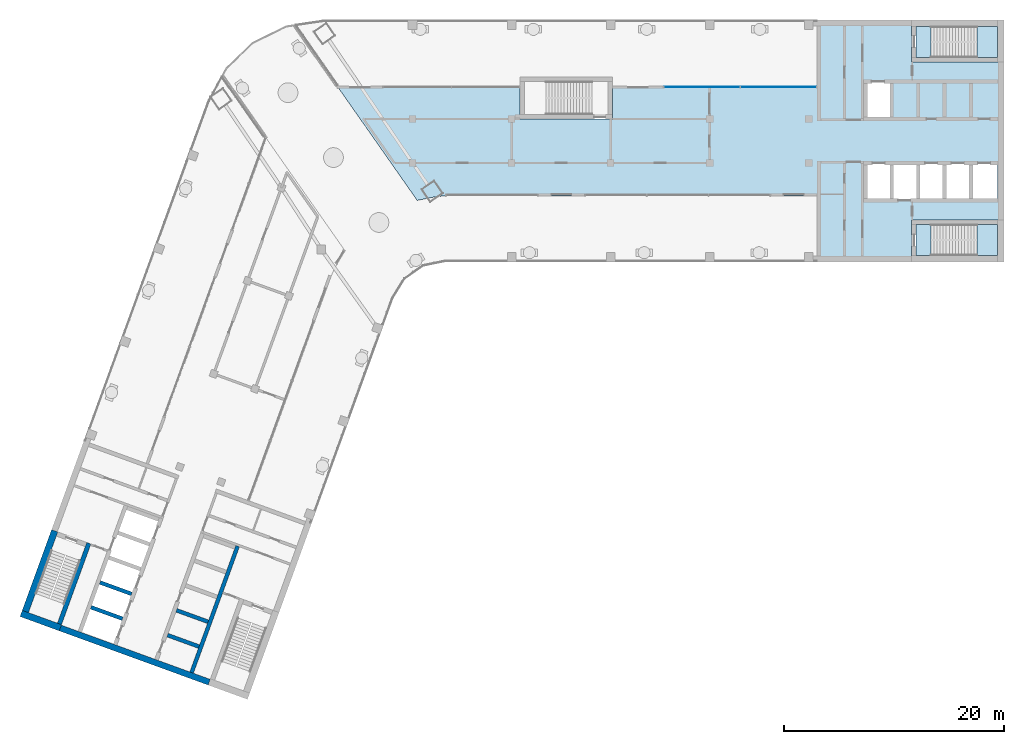
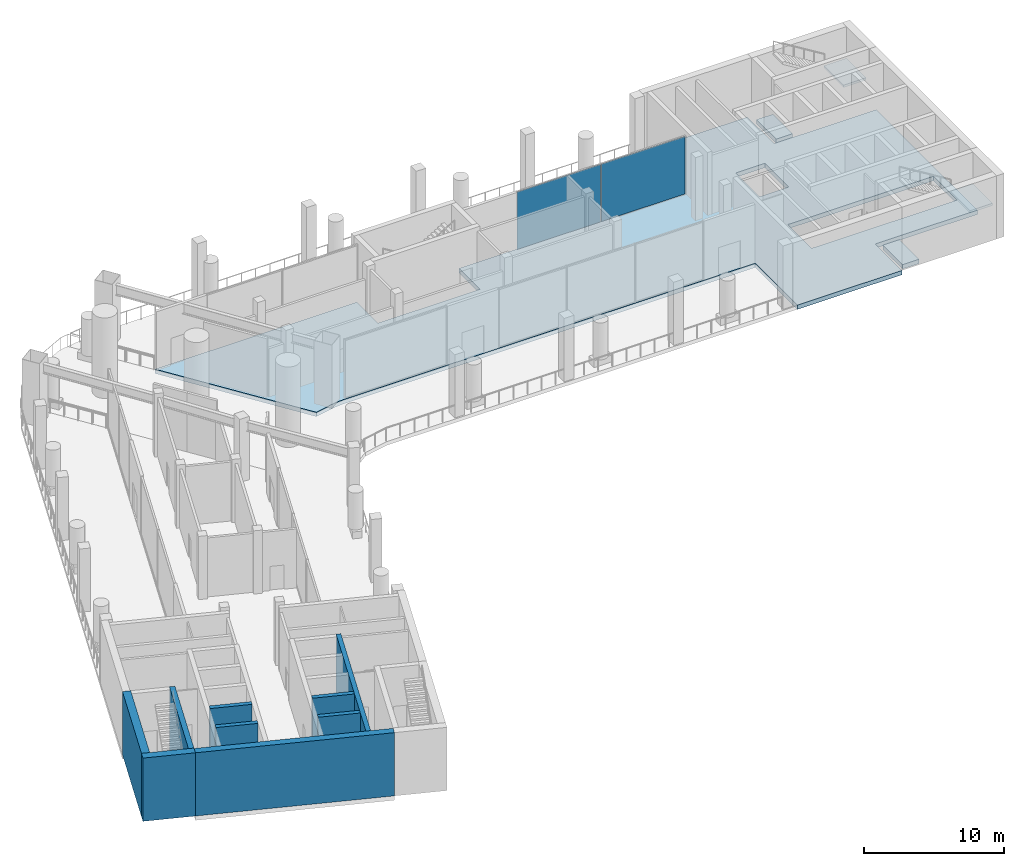
# One storey, part 7 of 17: 9 walls, 5 slabs, 2 plates, 3 elements without a shape of their own.
"""IFC4 building model written with IfcOpenShell, lengths in metres."""

from ifc_helpers import new_model, si_unit, direction, frame, frame_2d, origin, origin_2d, place, context, subcontext, project, spatial, polyline, rectangle, outline, extrude, material, layer, layer_set, type_object, element, aggregate, save


model = new_model("IFC4")

# Units and contexts
model_context = context("Model", 3, precision=1e-05, world=origin(), true_north=direction((0.0, 1.0)))
body_context = subcontext(model_context, "Body", "Model", "MODEL_VIEW")
ifc_project = project(units=[si_unit("LENGTHUNIT", "METRE"), si_unit("AREAUNIT", "SQUARE_METRE"), si_unit("VOLUMEUNIT", "CUBIC_METRE"), si_unit("PLANEANGLEUNIT", "RADIAN"), si_unit("MASSUNIT", "GRAM", prefix="KILO")], contexts=[model_context])

# Site, building, storey
site_placement = place(None, origin())
site = spatial("IfcSite", under=ifc_project, at=site_placement, CompositionType="ELEMENT")
building_placement = place(site_placement, origin())
building = spatial("IfcBuilding", under=site, at=building_placement, Name="Skarvind Civic Tower", CompositionType="ELEMENT")
storey_placement = place(building_placement, frame((0.0, 0.0, 182.5)))
storey = spatial("IfcBuildingStorey", under=building, at=storey_placement, Name="L43", CompositionType="ELEMENT", Elevation=182.5)

# Curtain wall, plates
ifc_material_1 = material(Name="Aluminium alloy 6063 and laminated glass", Category="aluminium")
curtain_wall_type = type_object("IfcCurtainWallType", Name="CW3 SEPARATOR INNER GLAZING", PredefinedType="NOTDEFINED", material=ifc_material_1)
curtain_wall_placement = place(storey_placement, origin())
curtain_wall = element("IfcCurtainWall", 1, at=curtain_wall_placement, inside=storey, type_object=curtain_wall_type, Name="SEPARATOR INNER GLAZING", PredefinedType="NOTDEFINED")
ifc_material_2 = material(Name="Laminated low-iron glass", Category="glass")
ifc_layer_1 = layer(ifc_material_2, 0.031982421875)
ifc_layer_set_1 = layer_set([ifc_layer_1], Name="CW3 GLASS PANEL 32")
plate_type = type_object("IfcPlateType", Name="CW3 GLASS PANEL 32", PredefinedType="CURTAIN_PANEL", material=ifc_layer_set_1)
plate_1_placement = place(storey_placement, frame((80.552490234375, 132.89990234375, 0.06005859375), z_axis=(0.0, 0.0, 1.0), x_axis=(1.0, 0.0, 0.0)))
plate_1 = element("IfcPlate", 2, at=plate_1_placement, type_object=plate_type, Name="CW3 panel 1.1", PredefinedType="CURTAIN_PANEL", context=body_context, shape_type="SweptSolid", body=[
    extrude(rectangle(XDim=6.885009765625, YDim=0.031982421875, at=origin_2d()), origin(), (0.0, 0.0, 1.0), 5.0048828125),
])
plate_2_placement = place(storey_placement, frame((87.49755859375, 132.89990234375, 0.06005859375), z_axis=(0.0, 0.0, 1.0), x_axis=(1.0, 0.0, 0.0)))
plate_2 = element("IfcPlate", 3, at=plate_2_placement, type_object=plate_type, Name="CW3 panel 2.1", PredefinedType="CURTAIN_PANEL", context=body_context, shape_type="SweptSolid", body=[
    extrude(rectangle(XDim=6.885009765625, YDim=0.031982421875, at=origin_2d()), origin(), (0.0, 0.0, 1.0), 5.0048828125),
])
aggregate(curtain_wall, [plate_1, plate_2])

# Slabs
ifc_material_3 = material(Name="Concrete C50", Category="concrete")
ifc_layer_2 = layer(ifc_material_3, 0.375)
ifc_layer_set_2 = layer_set([ifc_layer_2], Name="Floor slab 375 C50")
slab_type_1 = type_object("IfcSlabType", Name="Floor slab 375 C50", PredefinedType="FLOOR", material=ifc_layer_set_2)
slab_1_placement = place(storey_placement, frame((0.0, 0.0, -0.375)))
element("IfcSlab", 4, at=slab_1_placement, inside=storey, type_object=slab_type_1, Name="Floor slab L43 1", PredefinedType="FLOOR", context=body_context, shape_type="SweptSolid", body=[
    extrude(outline(polyline([(72.39990234375, 133.0), (72.39990234375, 130.0), (64.0, 130.0), (64.0, 133.0), (47.382080078125, 133.0), (54.664306640625, 122.60009765625), (56.03955078125, 122.879638671875), (56.63427734375, 122.9697265625), (57.235107421875, 123.0), (91.0, 123.0), (91.0, 117.0), (99.60009765625, 117.0), (99.60009765625, 120.800048828125), (108.0, 120.800048828125), (108.0, 135.199951171875), (99.60009765625, 135.199951171875), (99.60009765625, 139.0), (91.0, 139.0), (91.0, 133.0), (72.39990234375, 133.0)]), holes=[polyline([(97.800048828125, 126.0), (100.199951171875, 126.0), (102.60009765625, 126.0), (105.0, 126.0), (107.39990234375, 126.0), (107.39990234375, 122.60009765625), (105.0, 122.60009765625), (102.60009765625, 122.60009765625), (100.199951171875, 122.60009765625), (97.800048828125, 122.60009765625), (95.39990234375, 122.60009765625), (95.39990234375, 126.0), (97.800048828125, 126.0)]), polyline([(97.800048828125, 133.39990234375), (97.800048828125, 130.0), (95.39990234375, 130.0), (95.39990234375, 133.39990234375), (97.800048828125, 133.39990234375)])]), origin(), (0.0, 0.0, 1.0), 0.375),
])
ifc_material_4 = material(Name="Concrete C40/50", Category="concrete")
ifc_layer_3 = layer(ifc_material_4, 0.375)
ifc_layer_set_3 = layer_set([ifc_layer_3], Name="Stair floor landing slab 375")
slab_type_2 = type_object("IfcSlabType", Name="Stair floor landing slab 375", PredefinedType="LANDING", material=ifc_layer_set_3)
slab_2_placement = place(storey_placement, frame((0.0, 0.0, -0.375)))
element("IfcSlab", 5, at=slab_2_placement, inside=storey, type_object=slab_type_2, Name="Stair floor landing", PredefinedType="LANDING", context=body_context, shape_type="SweptSolid", body=[
    extrude(outline(polyline([(101.3505859375, 138.400634765625), (101.3505859375, 135.599365234375), (99.99951171875, 135.599365234375), (99.99951171875, 138.400634765625), (101.3505859375, 138.400634765625)])), origin(), (0.0, 0.0, 1.0), 0.375),
])
slab_3_placement = place(storey_placement, frame((0.0, 0.0, -0.375)))
element("IfcSlab", 6, at=slab_3_placement, inside=storey, type_object=slab_type_2, Name="Stair floor landing", PredefinedType="LANDING", context=body_context, shape_type="SweptSolid", body=[
    extrude(outline(polyline([(101.3505859375, 120.400634765625), (101.3505859375, 117.599365234375), (99.99951171875, 117.599365234375), (99.99951171875, 120.400634765625), (101.3505859375, 120.400634765625)])), origin(), (0.0, 0.0, 1.0), 0.375),
])

# Stair, slab
stair_type = type_object("IfcStairType", Name="Exit stair, half-turn, concrete", PredefinedType="HALF_TURN_STAIR", material=ifc_material_4)
stair_1_placement = place(storey_placement, origin())
stair_1 = element("IfcStair", 7, at=stair_1_placement, inside=storey, type_object=stair_type, Name="Exit stair C1S", PredefinedType="HALF_TURN_STAIR")
ifc_layer_4 = layer(ifc_material_4, 0.199951171875)
ifc_layer_set_4 = layer_set([ifc_layer_4], Name="Stair half landing slab")
slab_type_3 = type_object("IfcSlabType", Name="Stair half landing slab", PredefinedType="LANDING", material=ifc_layer_set_4)
slab_4_placement = place(storey_placement, frame((0.0, 0.0, 2.550048828125)))
slab_4 = element("IfcSlab", 8, at=slab_4_placement, type_object=slab_type_3, Name="ST-C1S landing 1", PredefinedType="LANDING", context=body_context, shape_type="SweptSolid", body=[
    extrude(outline(polyline([(105.54931640625, 135.599365234375), (105.54931640625, 138.400634765625), (107.400634765625, 138.400634765625), (107.400634765625, 135.599365234375), (105.54931640625, 135.599365234375)])), origin(), (0.0, 0.0, 1.0), 0.199951171875),
])
aggregate(stair_1, [slab_4])

stair_2_placement = place(storey_placement, origin())
stair_2 = element("IfcStair", 9, at=stair_2_placement, inside=storey, type_object=stair_type, Name="Exit stair C1N", PredefinedType="HALF_TURN_STAIR")
slab_5_placement = place(storey_placement, frame((0.0, 0.0, 2.550048828125)))
slab_5 = element("IfcSlab", 10, at=slab_5_placement, type_object=slab_type_3, Name="ST-C1N landing 1", PredefinedType="LANDING", context=body_context, shape_type="SweptSolid", body=[
    extrude(outline(polyline([(105.54931640625, 117.599365234375), (105.54931640625, 120.400634765625), (107.400634765625, 120.400634765625), (107.400634765625, 117.599365234375), (105.54931640625, 117.599365234375)])), origin(), (0.0, 0.0, 1.0), 0.199951171875),
])
aggregate(stair_2, [slab_5])

# Walls
ifc_material_5 = material(Name="Concrete C60", Category="concrete")
ifc_layer_5 = layer(ifc_material_5, 0.35009765625)
ifc_layer_set_5 = layer_set([ifc_layer_5], Name="Core wall 350 C60")
wall_type_1 = type_object("IfcWallType", Name="Core wall 350 C60", PredefinedType="SHEAR", material=ifc_layer_set_5)
wall_1_placement = place(storey_placement, frame((34.161376953125, 79.685302734375, 0.0), z_axis=(0.0, 0.0, 1.0), x_axis=(0.34201563943, 0.939694260058, 0.0)))
element("IfcWall", 11, at=wall_1_placement, inside=storey, type_object=wall_type_1, Name="Core wall C2 south lift row back L43", PredefinedType="SHEAR", context=body_context, shape_type="SweptSolid", body=[
    extrude(rectangle(XDim=12.22509765625, YDim=0.35009765625, at=frame_2d((6.112548828125, 0.0))), origin(), (0.0, 0.0, 1.0), 5.5),
])
wall_2_placement = place(storey_placement, frame((34.8349609375, 82.04736328125, 0.0), z_axis=(0.0, 0.0, 1.0), x_axis=(-0.939683528043, 0.3420451244, 0.0)))
element("IfcWall", 12, at=wall_2_placement, inside=storey, type_object=wall_type_1, Name="Core wall C2 south lift row division 1 L43", PredefinedType="SHEAR", context=body_context, shape_type="SweptSolid", body=[
    extrude(rectangle(XDim=3.050048828125, YDim=0.35009765625, at=frame_2d((1.52490234375, 0.0))), origin(), (0.0, 0.0, 1.0), 5.5),
])
wall_3_placement = place(storey_placement, frame((35.65576171875, 84.302734375, 0.0), z_axis=(0.0, 0.0, 1.0), x_axis=(-0.939709254651, 0.341974438698, 0.0)))
element("IfcWall", 13, at=wall_3_placement, inside=storey, type_object=wall_type_1, Name="Core wall C2 south lift row division 2 L43", PredefinedType="SHEAR", context=body_context, shape_type="SweptSolid", body=[
    extrude(rectangle(XDim=3.0498046875, YDim=0.35009765625, at=frame_2d((1.52490234375, 0.0))), origin(), (0.0, 0.0, 1.0), 5.5),
])
for number, where, z_axis, x_axis, name in (
    (14, (27.881103515625, 84.578369140625, 0.0), (0.0, 0.0, 1.0), (-0.939683528043, 0.3420451244, 0.0), "Core wall C2 north lift row division 1 L43"),
    (15, (28.7021484375, 86.83349609375, 0.0), (0.0, 0.0, 1.0), (-0.939692892192, 0.342019397644, 0.0), "Core wall C2 north lift row division 2 L43"),
):
    element("IfcWall", number, at=place(storey_placement, frame(where, z_axis=z_axis, x_axis=x_axis)), inside=storey, type_object=wall_type_1, Name=name, PredefinedType="SHEAR", context=body_context, shape_type="SweptSolid", body=[
        extrude(rectangle(XDim=3.050048828125, YDim=0.35009765625, at=frame_2d((1.52490234375, 0.0))), origin(), (0.0, 0.0, 1.0), 5.5),
    ])
ifc_layer_6 = layer(ifc_material_5, 0.39990234375)
ifc_layer_set_6 = layer_set([ifc_layer_6], Name="Core wall 400 C60")
wall_type_2 = type_object("IfcWallType", Name="Core wall 400 C60", PredefinedType="SHEAR", material=ifc_layer_set_6)
wall_4_placement = place(storey_placement, frame((22.150390625, 84.110107421875, 0.0), z_axis=(0.0, 0.0, 1.0), x_axis=(0.342016982193, 0.939693771338, 0.0)))
element("IfcWall", 16, at=wall_4_placement, inside=storey, type_object=wall_type_2, Name="Core wall C2 north stair inner L43", PredefinedType="SHEAR", context=body_context, shape_type="SweptSolid", body=[
    extrude(rectangle(XDim=7.800048828125, YDim=0.39990234375, at=frame_2d((3.89990234375, 0.0))), origin(), (0.0, 0.0, 1.0), 5.5),
])
ifc_layer_7 = layer(ifc_material_5, 0.550048828125)
ifc_layer_set_7 = layer_set([ifc_layer_7], Name="Core wall 550 C60")
wall_type_3 = type_object("IfcWallType", Name="Core wall 550 C60", PredefinedType="SHEAR", material=ifc_layer_set_7)
wall_5_placement = place(storey_placement, frame((35.7587890625, 78.811279296875, 0.0), z_axis=(0.0, 0.0, 1.0), x_axis=(-0.939692894512, 0.342019391267, 0.0)))
element("IfcWall", 17, at=wall_5_placement, inside=storey, type_object=wall_type_3, Name="Core wall C2 tip between the stairs L43", PredefinedType="SHEAR", context=body_context, shape_type="SweptSolid", body=[
    extrude(rectangle(XDim=14.39990234375, YDim=0.550048828125, at=frame_2d((7.199951171875, 0.0))), origin(), (0.0, 0.0, 1.0), 5.5),
])
ifc_layer_8 = layer(ifc_material_5, 0.60009765625)
ifc_layer_set_8 = layer_set([ifc_layer_8], Name="Core wall 600 C60")
wall_type_4 = type_object("IfcWallType", Name="Core wall 600 C60", PredefinedType="SHEAR", material=ifc_layer_set_8)
wall_6_placement = place(storey_placement, frame((22.23583984375, 83.759765625, 0.0), z_axis=(0.0, 0.0, 1.0), x_axis=(-0.939680822529, 0.342052557032, 0.0)))
element("IfcWall", 18, at=wall_6_placement, inside=storey, type_object=wall_type_4, Name="Core wall C2 tip at the north stair L43", PredefinedType="SHEAR", context=body_context, shape_type="SweptSolid", body=[
    extrude(rectangle(XDim=3.800048828125, YDim=0.60009765625, at=frame_2d((1.89990234375, 0.0))), origin(), (0.0, 0.0, 1.0), 5.5),
])
wall_7_placement = place(storey_placement, frame((19.049560546875, 85.23876953125, 0.0), z_axis=(0.0, 0.0, 1.0), x_axis=(0.342016982193, 0.939693771338, 0.0)))
element("IfcWall", 19, at=wall_7_placement, inside=storey, type_object=wall_type_4, Name="Core wall C2 north side at the stair L43", PredefinedType="SHEAR", context=body_context, shape_type="SweptSolid", body=[
    extrude(rectangle(XDim=7.800048828125, YDim=0.60009765625, at=frame_2d((3.89990234375, 0.0))), origin(), (0.0, 0.0, 1.0), 5.5),
])

save(model, "model.ifc")
